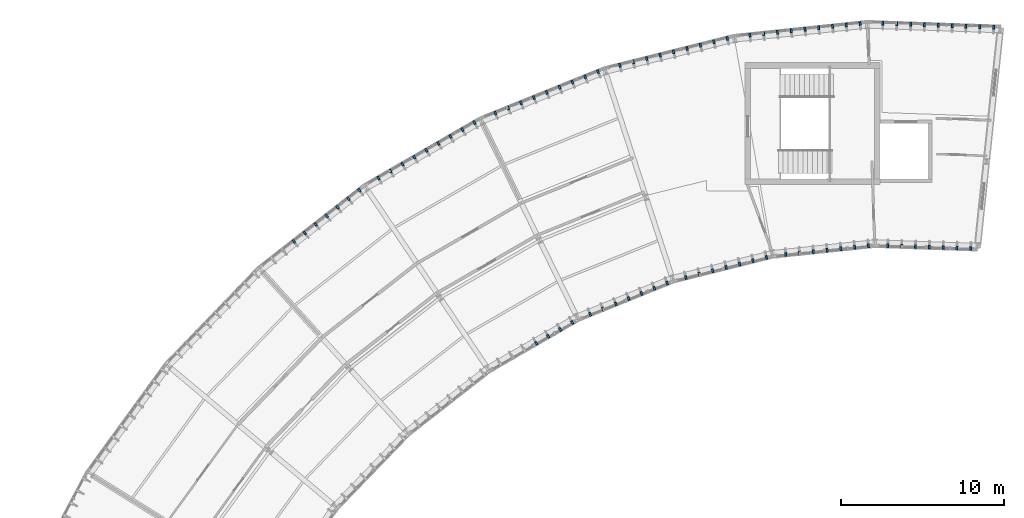
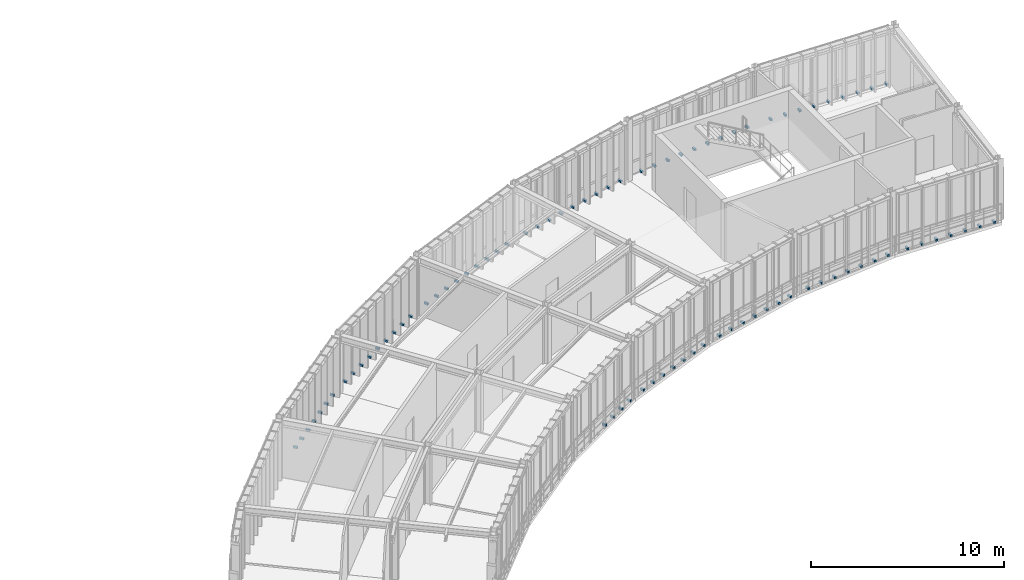
# One storey, part 34 of 41: 84 discrete accessories.
"""IFC4 building model written with IfcOpenShell, lengths in metres."""

from ifc_helpers import new_model, si_unit, direction, frame, origin, origin_2d, place, context, subcontext, project, spatial, rectangle, extrude, material, type_object, element, save


model = new_model("IFC4")

# Units and contexts
model_context = context("Model", 3, precision=1e-05, world=origin(), true_north=direction((0.0, 1.0)))
body_context = subcontext(model_context, "Body", "Model", "MODEL_VIEW")
ifc_project = project(units=[si_unit("LENGTHUNIT", "METRE"), si_unit("AREAUNIT", "SQUARE_METRE"), si_unit("VOLUMEUNIT", "CUBIC_METRE"), si_unit("PLANEANGLEUNIT", "RADIAN"), si_unit("MASSUNIT", "GRAM", prefix="KILO"), si_unit("THERMODYNAMICTEMPERATUREUNIT", "KELVIN"), si_unit("POWERUNIT", "WATT")], contexts=[model_context])

# Site, building, storey
site_placement = place(None, origin())
site = spatial("IfcSite", under=ifc_project, at=site_placement, CompositionType="ELEMENT")
building_placement = place(site_placement, origin())
building = spatial("IfcBuilding", under=site, at=building_placement, Name="Solvatero Civic Police Headquarters", CompositionType="ELEMENT")
storey_placement = place(building_placement, frame((0.0, 0.0, 17.699951171875)))
storey = spatial("IfcBuildingStorey", under=building, at=storey_placement, Name="L04", CompositionType="ELEMENT", Elevation=17.699951171875)

# Discrete accessories
ifc_material = material(Name="Steel S355", Category="steel")
discrete_accessory_type = type_object("IfcDiscreteAccessoryType", Name="ACC-BRK-FIN", PredefinedType="BRACKET", material=ifc_material)
for number, where, z_axis, x_axis, name in (
    (1, (99.717041015625, 84.522705078125, 0.0), (0.0, 0.0, 1.0), (-0.999390217756, 0.034916939358, 0.0), "Slab-Edge Fin Bracket 0778"),
    (2, (98.86767578125, 84.55224609375, 0.0), (0.0, 0.0, 1.0), (-0.999390217756, 0.034916939358, 0.0), "Slab-Edge Fin Bracket 0779"),
    (3, (98.01806640625, 84.581787109375, 0.0), (0.0, 0.0, 1.0), (-0.999390217756, 0.034916939358, 0.0), "Slab-Edge Fin Bracket 0780"),
    (4, (97.168701171875, 84.611572265625, 0.0), (0.0, 0.0, 1.0), (-0.999390217756, 0.034916939358, 0.0), "Slab-Edge Fin Bracket 0781"),
    (5, (96.319091796875, 84.641357421875, 0.0), (0.0, 0.0, 1.0), (-0.999390217756, 0.034916939358, 0.0), "Slab-Edge Fin Bracket 0782"),
    (6, (95.4697265625, 84.6708984375, 0.0), (0.0, 0.0, 1.0), (-0.999390217756, 0.034916939358, 0.0), "Slab-Edge Fin Bracket 0783"),
    (7, (94.6201171875, 84.70068359375, 0.0), (0.0, 0.0, 1.0), (-0.999390217756, 0.034916939358, 0.0), "Slab-Edge Fin Bracket 0784"),
    (8, (93.770751953125, 84.730224609375, 0.0), (0.0, 0.0, 1.0), (-0.999390217756, 0.034916939358, 0.0), "Slab-Edge Fin Bracket 0785"),
    (9, (92.921142578125, 84.760009765625, 0.0), (0.0, 0.0, 1.0), (-0.999390217756, 0.034916939358, 0.0), "Slab-Edge Fin Bracket 0786"),
    (10, (98.314453125, 70.936767578125, 0.0), (0.0, 0.0, 1.0), (-0.999390827019, 0.034899496703, 0.0), "Slab-Edge Fin Bracket 0787"),
    (11, (97.46484375, 70.966552734375, 0.0), (0.0, 0.0, 1.0), (-0.999390827019, 0.034899496703, 0.0), "Slab-Edge Fin Bracket 0788"),
    (12, (96.615478515625, 70.99609375, 0.0), (0.0, 0.0, 1.0), (-0.999390827019, 0.034899496703, 0.0), "Slab-Edge Fin Bracket 0789"),
    (13, (95.765869140625, 71.02587890625, 0.0), (0.0, 0.0, 1.0), (-0.999390827019, 0.034899496703, 0.0), "Slab-Edge Fin Bracket 0790"),
    (14, (94.91650390625, 71.055419921875, 0.0), (0.0, 0.0, 1.0), (-0.999390827019, 0.034899496703, 0.0), "Slab-Edge Fin Bracket 0791"),
    (15, (94.06689453125, 71.085205078125, 0.0), (0.0, 0.0, 1.0), (-0.999390827019, 0.034899496703, 0.0), "Slab-Edge Fin Bracket 0792"),
    (16, (93.217529296875, 71.11474609375, 0.0), (0.0, 0.0, 1.0), (-0.999390827019, 0.034899496703, 0.0), "Slab-Edge Fin Bracket 0793"),
    (17, (91.5166015625, 84.748779296875, 0.0), (0.0, 0.0, 1.0), (-0.994523719583, -0.10451110557, 0.0), "Slab-Edge Fin Bracket 0794"),
    (18, (90.67138671875, 84.659912109375, 0.0), (0.0, 0.0, 1.0), (-0.994523719583, -0.10451110557, 0.0), "Slab-Edge Fin Bracket 0795"),
    (19, (89.825927734375, 84.571044921875, 0.0), (0.0, 0.0, 1.0), (-0.994523719583, -0.10451110557, 0.0), "Slab-Edge Fin Bracket 0796"),
    (20, (88.980712890625, 84.482177734375, 0.0), (0.0, 0.0, 1.0), (-0.994523719583, -0.10451110557, 0.0), "Slab-Edge Fin Bracket 0797"),
    (21, (88.13525390625, 84.393310546875, 0.0), (0.0, 0.0, 1.0), (-0.994523719583, -0.10451110557, 0.0), "Slab-Edge Fin Bracket 0798"),
    (22, (87.289794921875, 84.304443359375, 0.0), (0.0, 0.0, 1.0), (-0.994523719583, -0.10451110557, 0.0), "Slab-Edge Fin Bracket 0799"),
    (23, (86.444580078125, 84.2158203125, 0.0), (0.0, 0.0, 1.0), (-0.994523719583, -0.10451110557, 0.0), "Slab-Edge Fin Bracket 0800"),
    (24, (85.59912109375, 84.126953125, 0.0), (0.0, 0.0, 1.0), (-0.994523719583, -0.10451110557, 0.0), "Slab-Edge Fin Bracket 0801"),
    (25, (84.75390625, 84.0380859375, 0.0), (0.0, 0.0, 1.0), (-0.994523719583, -0.10451110557, 0.0), "Slab-Edge Fin Bracket 0802"),
    (26, (92.0283203125, 71.10107421875, 0.0), (0.0, 0.0, 1.0), (-0.994521895368, -0.104528463268, 0.0), "Slab-Edge Fin Bracket 0803"),
    (27, (91.18310546875, 71.01220703125, 0.0), (0.0, 0.0, 1.0), (-0.994521895368, -0.104528463268, 0.0), "Slab-Edge Fin Bracket 0804"),
    (28, (90.337646484375, 70.92333984375, 0.0), (0.0, 0.0, 1.0), (-0.994521895368, -0.104528463268, 0.0), "Slab-Edge Fin Bracket 0805"),
    (29, (89.4921875, 70.83447265625, 0.0), (0.0, 0.0, 1.0), (-0.994521895368, -0.104528463268, 0.0), "Slab-Edge Fin Bracket 0806"),
    (30, (88.64697265625, 70.74560546875, 0.0), (0.0, 0.0, 1.0), (-0.994521895368, -0.104528463268, 0.0), "Slab-Edge Fin Bracket 0807"),
    (31, (87.8017578125, 70.65673828125, 0.0), (0.0, 0.0, 1.0), (-0.994521895368, -0.104528463268, 0.0), "Slab-Edge Fin Bracket 0808"),
    (32, (86.956298828125, 70.56787109375, 0.0), (0.0, 0.0, 1.0), (-0.994521895368, -0.104528463268, 0.0), "Slab-Edge Fin Bracket 0809"),
    (33, (83.364501953125, 83.83154296875, 0.0), (0.0, 0.0, 1.0), (-0.970295726276, -0.2419218956, 0.0), "Slab-Edge Fin Bracket 0810"),
    (34, (82.539794921875, 83.6259765625, 0.0), (0.0, 0.0, 1.0), (-0.970295726276, -0.2419218956, 0.0), "Slab-Edge Fin Bracket 0811"),
    (35, (81.715087890625, 83.420166015625, 0.0), (0.0, 0.0, 1.0), (-0.970295726276, -0.2419218956, 0.0), "Slab-Edge Fin Bracket 0812"),
    (36, (80.890380859375, 83.214599609375, 0.0), (0.0, 0.0, 1.0), (-0.970295726276, -0.2419218956, 0.0), "Slab-Edge Fin Bracket 0813"),
    (37, (80.0654296875, 83.009033203125, 0.0), (0.0, 0.0, 1.0), (-0.970295726276, -0.2419218956, 0.0), "Slab-Edge Fin Bracket 0814"),
    (38, (79.24072265625, 82.80322265625, 0.0), (0.0, 0.0, 1.0), (-0.970295726276, -0.2419218956, 0.0), "Slab-Edge Fin Bracket 0815"),
    (39, (78.416015625, 82.59765625, 0.0), (0.0, 0.0, 1.0), (-0.970295726276, -0.2419218956, 0.0), "Slab-Edge Fin Bracket 0816"),
    (40, (77.59130859375, 82.39208984375, 0.0), (0.0, 0.0, 1.0), (-0.970295726276, -0.2419218956, 0.0), "Slab-Edge Fin Bracket 0817"),
    (41, (76.7666015625, 82.186279296875, 0.0), (0.0, 0.0, 1.0), (-0.970295726276, -0.2419218956, 0.0), "Slab-Edge Fin Bracket 0818"),
    (42, (85.770751953125, 70.3876953125, 0.0), (0.0, 0.0, 1.0), (-0.970295726276, -0.2419218956, 0.0), "Slab-Edge Fin Bracket 0819"),
    (43, (84.946044921875, 70.18212890625, 0.0), (0.0, 0.0, 1.0), (-0.970295726276, -0.2419218956, 0.0), "Slab-Edge Fin Bracket 0820"),
    (44, (84.12109375, 69.9765625, 0.0), (0.0, 0.0, 1.0), (-0.970295726276, -0.2419218956, 0.0), "Slab-Edge Fin Bracket 0821"),
    (45, (83.29638671875, 69.770751953125, 0.0), (0.0, 0.0, 1.0), (-0.970295726276, -0.2419218956, 0.0), "Slab-Edge Fin Bracket 0822"),
    (46, (82.4716796875, 69.565185546875, 0.0), (0.0, 0.0, 1.0), (-0.970295726276, -0.2419218956, 0.0), "Slab-Edge Fin Bracket 0823"),
    (47, (81.64697265625, 69.359619140625, 0.0), (0.0, 0.0, 1.0), (-0.970295726276, -0.2419218956, 0.0), "Slab-Edge Fin Bracket 0824"),
    (48, (80.822265625, 69.154052734375, 0.0), (0.0, 0.0, 1.0), (-0.970295726276, -0.2419218956, 0.0), "Slab-Edge Fin Bracket 0825"),
    (49, (75.428955078125, 81.792236328125, 0.0), (0.0, 0.0, 1.0), (-0.927190392544, -0.374590410948, 0.0), "Slab-Edge Fin Bracket 0826"),
    (50, (74.640869140625, 81.473876953125, 0.0), (0.0, 0.0, 1.0), (-0.927190392544, -0.374590410948, 0.0), "Slab-Edge Fin Bracket 0827"),
    (51, (73.852783203125, 81.155517578125, 0.0), (0.0, 0.0, 1.0), (-0.927190392544, -0.374590410948, 0.0), "Slab-Edge Fin Bracket 0828"),
    (52, (73.064697265625, 80.8369140625, 0.0), (0.0, 0.0, 1.0), (-0.927190392544, -0.374590410948, 0.0), "Slab-Edge Fin Bracket 0829"),
    (53, (72.276611328125, 80.5185546875, 0.0), (0.0, 0.0, 1.0), (-0.927190392544, -0.374590410948, 0.0), "Slab-Edge Fin Bracket 0830"),
    (54, (71.48828125, 80.2001953125, 0.0), (0.0, 0.0, 1.0), (-0.927190392544, -0.374590410948, 0.0), "Slab-Edge Fin Bracket 0831"),
    (55, (70.7001953125, 79.881591796875, 0.0), (0.0, 0.0, 1.0), (-0.927190392544, -0.374590410948, 0.0), "Slab-Edge Fin Bracket 0832"),
    (56, (69.912109375, 79.563232421875, 0.0), (0.0, 0.0, 1.0), (-0.927190392544, -0.374590410948, 0.0), "Slab-Edge Fin Bracket 0833"),
    (57, (69.1240234375, 79.244873046875, 0.0), (0.0, 0.0, 1.0), (-0.927190392544, -0.374590410948, 0.0), "Slab-Edge Fin Bracket 0834"),
    (58, (79.673095703125, 68.810302734375, 0.0), (0.0, 0.0, 1.0), (-0.927183854567, -0.374606593416, 0.0), "Slab-Edge Fin Bracket 0835"),
    (59, (78.885009765625, 68.491943359375, 0.0), (0.0, 0.0, 1.0), (-0.927183854567, -0.374606593416, 0.0), "Slab-Edge Fin Bracket 0836"),
    (60, (78.096923828125, 68.173583984375, 0.0), (0.0, 0.0, 1.0), (-0.927183854567, -0.374606593416, 0.0), "Slab-Edge Fin Bracket 0837"),
    (61, (77.308837890625, 67.855224609375, 0.0), (0.0, 0.0, 1.0), (-0.927183854567, -0.374606593416, 0.0), "Slab-Edge Fin Bracket 0838"),
    (62, (76.520751953125, 67.536865234375, 0.0), (0.0, 0.0, 1.0), (-0.927183854567, -0.374606593416, 0.0), "Slab-Edge Fin Bracket 0839"),
    (63, (75.732666015625, 67.218505859375, 0.0), (0.0, 0.0, 1.0), (-0.927183854567, -0.374606593416, 0.0), "Slab-Edge Fin Bracket 0840"),
    (64, (74.944580078125, 66.89990234375, 0.0), (0.0, 0.0, 1.0), (-0.927183854567, -0.374606593416, 0.0), "Slab-Edge Fin Bracket 0841"),
    (65, (67.8359375, 78.65966796875, 0.0), (0.0, 0.0, 1.0), (-0.866025403784, -0.5, 0.0), "Slab-Edge Fin Bracket 0842"),
    (66, (67.099853515625, 78.234619140625, 0.0), (0.0, 0.0, 1.0), (-0.866025403784, -0.5, 0.0), "Slab-Edge Fin Bracket 0843"),
    (67, (66.36376953125, 77.8095703125, 0.0), (0.0, 0.0, 1.0), (-0.866025403784, -0.5, 0.0), "Slab-Edge Fin Bracket 0844"),
    (68, (65.627685546875, 77.384521484375, 0.0), (0.0, 0.0, 1.0), (-0.866025403784, -0.5, 0.0), "Slab-Edge Fin Bracket 0845"),
    (69, (64.8916015625, 76.959716796875, 0.0), (0.0, 0.0, 1.0), (-0.866025403784, -0.5, 0.0), "Slab-Edge Fin Bracket 0846"),
    (70, (64.155517578125, 76.53466796875, 0.0), (0.0, 0.0, 1.0), (-0.866025403784, -0.5, 0.0), "Slab-Edge Fin Bracket 0847"),
    (71, (63.419189453125, 76.109619140625, 0.0), (0.0, 0.0, 1.0), (-0.866025403784, -0.5, 0.0), "Slab-Edge Fin Bracket 0848"),
    (72, (62.68310546875, 75.6845703125, 0.0), (0.0, 0.0, 1.0), (-0.866025403784, -0.5, 0.0), "Slab-Edge Fin Bracket 0849"),
    (73, (61.947021484375, 75.259521484375, 0.0), (0.0, 0.0, 1.0), (-0.866025403784, -0.5, 0.0), "Slab-Edge Fin Bracket 0850"),
    (74, (73.845947265625, 66.39501953125, 0.0), (0.0, 0.0, 1.0), (-0.866025403784, -0.5, 0.0), "Slab-Edge Fin Bracket 0851"),
    (75, (73.10986328125, 65.969970703125, 0.0), (0.0, 0.0, 1.0), (-0.866025403784, -0.5, 0.0), "Slab-Edge Fin Bracket 0852"),
    (76, (72.37353515625, 65.544921875, 0.0), (0.0, 0.0, 1.0), (-0.866025403784, -0.5, 0.0), "Slab-Edge Fin Bracket 0853"),
    (77, (71.637451171875, 65.1201171875, 0.0), (0.0, 0.0, 1.0), (-0.866025403784, -0.5, 0.0), "Slab-Edge Fin Bracket 0854"),
    (78, (60.769775390625, 74.51220703125, 0.0), (0.0, 0.0, 1.0), (-0.788010753607, -0.615661475326, 0.0), "Slab-Edge Fin Bracket 0858"),
    (79, (60.10009765625, 73.98876953125, 0.0), (0.0, 0.0, 1.0), (-0.788010753607, -0.615661475326, 0.0), "Slab-Edge Fin Bracket 0859"),
    (80, (59.43017578125, 73.46533203125, 0.0), (0.0, 0.0, 1.0), (-0.788010753607, -0.615661475326, 0.0), "Slab-Edge Fin Bracket 0860"),
    (81, (58.76025390625, 72.942138671875, 0.0), (0.0, 0.0, 1.0), (-0.788010753607, -0.615661475326, 0.0), "Slab-Edge Fin Bracket 0861"),
    (82, (58.090576171875, 72.418701171875, 0.0), (0.0, 0.0, 1.0), (-0.788010753607, -0.615661475326, 0.0), "Slab-Edge Fin Bracket 0862"),
    (83, (57.420654296875, 71.8955078125, 0.0), (0.0, 0.0, 1.0), (-0.788010753607, -0.615661475326, 0.0), "Slab-Edge Fin Bracket 0863"),
    (84, (56.7509765625, 71.372314453125, 0.0), (0.0, 0.0, 1.0), (-0.788010753607, -0.615661475326, 0.0), "Slab-Edge Fin Bracket 0864"),
):
    element("IfcDiscreteAccessory", number, at=place(storey_placement, frame(where, z_axis=z_axis, x_axis=x_axis)), inside=storey, type_object=discrete_accessory_type, Name=name, PredefinedType="BRACKET", context=body_context, shape_type="SweptSolid", body=[
        extrude(rectangle(XDim=0.1201171875, YDim=0.239990234375, at=origin_2d()), origin(), (0.0, 0.0, 1.0), 0.1201171875),
    ])

save(model, "model.ifc")
